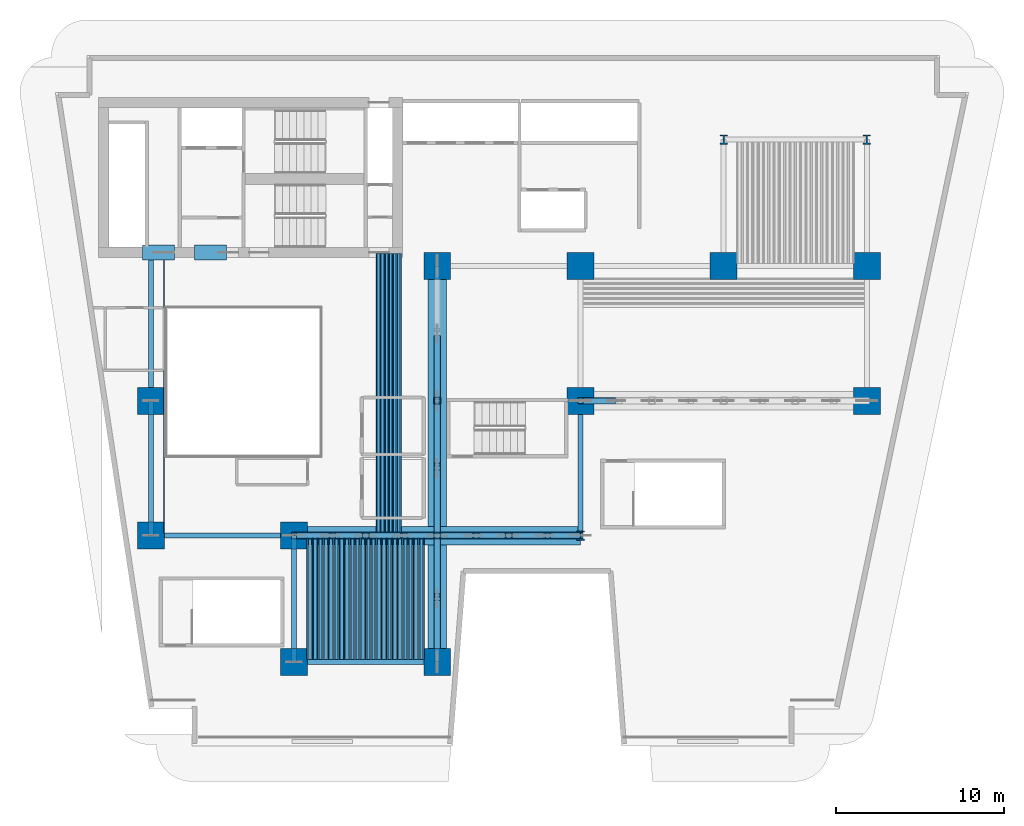
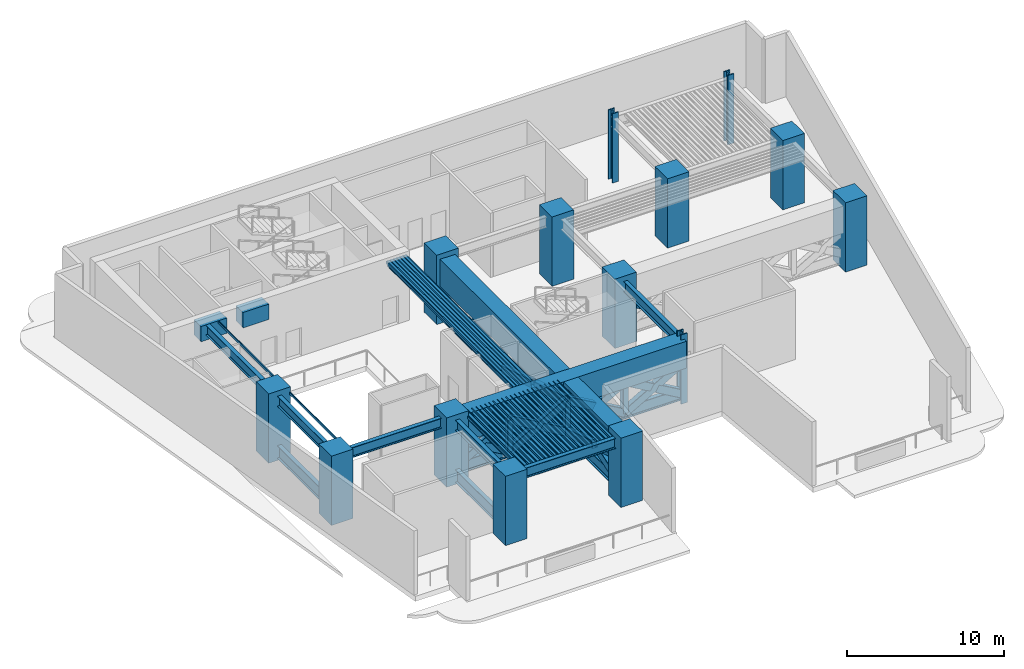
# One storey, part 1 of 9: 73 beams, 24 members, 14 columns.
"""IFC4 building model written with IfcOpenShell, lengths in metres."""

from ifc_helpers import new_model, si_unit, direction, frame, origin, origin_2d, place, context, subcontext, project, spatial, rectangle, hollow_rectangle, i_section, extrude, material, material_profile, profile_set, type_object, element, save


model = new_model("IFC4")

# Units and contexts
model_context = context("Model", 3, precision=1e-05, world=origin(), true_north=direction((0.0, 1.0)))
body_context = subcontext(model_context, "Body", "Model", "MODEL_VIEW")
ifc_project = project(units=[si_unit("LENGTHUNIT", "METRE"), si_unit("AREAUNIT", "SQUARE_METRE"), si_unit("VOLUMEUNIT", "CUBIC_METRE"), si_unit("PLANEANGLEUNIT", "RADIAN"), si_unit("MASSUNIT", "GRAM", prefix="KILO")], contexts=[model_context])

# Site, building, storey
site_placement = place(None, origin())
site = spatial("IfcSite", under=ifc_project, at=site_placement, CompositionType="ELEMENT")
building_placement = place(site_placement, origin())
building = spatial("IfcBuilding", under=site, at=building_placement, Name="Caeloran Harvest Quay", CompositionType="ELEMENT")
storey_placement = place(building_placement, frame((0.0, 0.0, 21.60009765625)))
storey = spatial("IfcBuildingStorey", under=building, at=storey_placement, Name="L05", CompositionType="ELEMENT", Elevation=21.60009765625)

# Columns
ifc_material_1 = material(Name="Concrete C80/95", Category="concrete")
ifc_material_profile_1 = material_profile(ifc_material_1, rectangle(XDim=1.60009765625, YDim=1.60009765625, at=origin_2d()), Name="RC 1600x1600")
ifc_profile_set_1 = profile_set([ifc_material_profile_1], Name="Concrete C80/95")
column_type_1 = type_object("IfcColumnType", Name="COL-MC-1-RC_1600x1600", PredefinedType="COLUMN", material=ifc_profile_set_1)
for number, where, z_axis, x_axis, name in (
    (1, (8.5, 15.0, 0.0), (0.0, 0.0, 1.0), (1.0, 0.0, 0.0), "L05 Structural Column (8.5, 15.0)"),
    (2, (8.5, 23.0, 0.0), (0.0, 0.0, 1.0), (1.0, 0.0, 0.0), "L05 Structural Column (8.5, 23.0)"),
    (3, (17.0, 7.5, 0.0), (0.0, 0.0, 1.0), (1.0, 0.0, 0.0), "L05 Structural Column (17.0, 7.5)"),
    (4, (17.0, 15.0, 0.0), (0.0, 0.0, 1.0), (1.0, 0.0, 0.0), "L05 Structural Column (17.0, 15.0)"),
    (5, (25.5, 7.5, 0.0), (0.0, 0.0, 1.0), (1.0, 0.0, 0.0), "L05 Structural Column (25.5, 7.5)"),
    (6, (25.5, 31.0, 0.0), (0.0, 0.0, 1.0), (1.0, 0.0, 0.0), "L05 Structural Column (25.5, 31.0)"),
    (7, (34.0, 23.0, 0.0), (0.0, 0.0, 1.0), (1.0, 0.0, 0.0), "L05 Structural Column (34.0, 23.0)"),
    (8, (34.0, 31.0, 0.0), (0.0, 0.0, 1.0), (1.0, 0.0, 0.0), "L05 Structural Column (34.0, 31.0)"),
    (9, (42.5, 31.0, 0.0), (0.0, 0.0, 1.0), (1.0, 0.0, 0.0), "L05 Structural Column (42.5, 31.0)"),
    (10, (51.0, 23.0, 0.0), (0.0, 0.0, 1.0), (1.0, 0.0, 0.0), "L05 Structural Column (51.0, 23.0)"),
    (11, (51.0, 31.0, 0.0), (0.0, 0.0, 1.0), (1.0, 0.0, 0.0), "L05 Structural Column (51.0, 31.0)"),
):
    element("IfcColumn", number, at=place(storey_placement, frame(where, z_axis=z_axis, x_axis=x_axis)), inside=storey, type_object=column_type_1, Name=name, PredefinedType="COLUMN", context=body_context, shape_type="SweptSolid", body=[
        extrude(rectangle(XDim=1.60009765625, YDim=1.60009765625, at=origin_2d()), origin(), (0.0, 0.0, 1.0), 5.39990234375),
    ])
ifc_material_2 = material(Name="Steel HISTAR 460", Category="steel")
ifc_material_profile_2 = material_profile(ifc_material_2, i_section(OverallWidth=0.4541015625, OverallDepth=0.569091796875, WebThickness=0.077880859375, FlangeThickness=0.080078125, FilletRadius=0.014892578125, at=origin_2d()), Name="HD 400x1086")
ifc_profile_set_2 = profile_set([ifc_material_profile_2], Name="Steel HISTAR 460")
column_type_2 = type_object("IfcColumnType", Name="COL-SC-1-HD_400x1086", PredefinedType="COLUMN", material=ifc_profile_set_2)
for number, where, z_axis, x_axis, name in (
    (12, (34.0, 15.0, 0.0), (0.0, 0.0, 1.0), (1.0, 0.0, 0.0), "L05 Structural Column (34.0, 15.0)"),
    (13, (42.5, 38.5, 0.0), (0.0, 0.0, 1.0), (1.0, 0.0, 0.0), "L05 Structural Column (42.5, 38.5)"),
    (14, (51.0, 38.5, 0.0), (0.0, 0.0, 1.0), (1.0, 0.0, 0.0), "L05 Structural Column (51.0, 38.5)"),
):
    element("IfcColumn", number, at=place(storey_placement, frame(where, z_axis=z_axis, x_axis=x_axis)), inside=storey, type_object=column_type_2, Name=name, PredefinedType="COLUMN", context=body_context, shape_type="SweptSolid", body=[
        extrude(i_section(OverallWidth=0.4541015625, OverallDepth=0.569091796875, WebThickness=0.077880859375, FlangeThickness=0.080078125, FilletRadius=0.014892578125, at=origin_2d()), origin(), (0.0, 0.0, 1.0), 5.39990234375),
    ])

# Beams
ifc_material_profile_3 = material_profile(ifc_material_1, rectangle(XDim=0.89990234375, YDim=1.199951171875, at=origin_2d()), Name="RC 900x1200")
ifc_profile_set_3 = profile_set([ifc_material_profile_3], Name="Concrete C80/95")
beam_type_1 = type_object("IfcBeamType", Name="BM-CB-1-RC_900x1200", PredefinedType="LINTEL", material=ifc_profile_set_3)
for number, where, z_axis, x_axis, name in (
    (15, (8.0, 31.800048828125, 4.39990234375), (1.0, 0.0, 0.0), (0.0, 1.0, 0.0), "L05 Core Coupling Beam 1"),
    (16, (11.10009765625, 31.800048828125, 4.39990234375), (1.0, 0.0, 0.0), (0.0, 1.0, 0.0), "L05 Core Coupling Beam 2"),
):
    element("IfcBeam", number, at=place(storey_placement, frame(where, z_axis=z_axis, x_axis=x_axis)), inside=storey, type_object=beam_type_1, Name=name, PredefinedType="LINTEL", context=body_context, shape_type="SweptSolid", body=[
        extrude(rectangle(XDim=0.89990234375, YDim=1.199951171875, at=origin_2d()), origin(), (0.0, 0.0, 1.0), 1.89990234375),
    ])
ifc_material_3 = material(Name="Steel S355J2", Category="steel")
ifc_material_profile_4 = material_profile(ifc_material_3, i_section(OverallWidth=0.300048828125, OverallDepth=0.800048828125, WebThickness=0.017578125, FlangeThickness=0.032958984375, FilletRadius=0.030029296875, at=origin_2d()), Name="HE 800 B")
ifc_profile_set_4 = profile_set([ifc_material_profile_4], Name="Steel S355J2")
beam_type_2 = type_object("IfcBeamType", Name="BM-PG-1-HE_800_B", PredefinedType="BEAM", material=ifc_profile_set_4)
for number, where, z_axis, x_axis, name in (
    (17, (17.0, 7.5, 4.599853515625), (1.0, 0.0, 0.0), (0.0, 1.0, 0.0), "L05 Primary East-West Girder Y=7.5"),
    (18, (8.5, 15.0, 4.599853515625), (1.0, 0.0, 0.0), (0.0, 1.0, 0.0), "L05 Primary East-West Girder Y=15.0"),
):
    element("IfcBeam", number, at=place(storey_placement, frame(where, z_axis=z_axis, x_axis=x_axis)), inside=storey, type_object=beam_type_2, Name=name, PredefinedType="BEAM", context=body_context, shape_type="SweptSolid", body=[
        extrude(i_section(OverallWidth=0.300048828125, OverallDepth=0.800048828125, WebThickness=0.017578125, FlangeThickness=0.032958984375, FilletRadius=0.030029296875, at=origin_2d()), origin(), (0.0, 0.0, 1.0), 8.5),
    ])
beam_1_placement = place(storey_placement, frame((8.5, 15.0, 4.599853515625), z_axis=(0.0, 1.0, 0.0), x_axis=(-1.0, 0.0, 0.0)))
element("IfcBeam", 19, at=beam_1_placement, inside=storey, type_object=beam_type_2, Name="L05 Primary North-South Girder X=8.5", PredefinedType="BEAM", context=body_context, shape_type="SweptSolid", body=[
    extrude(i_section(OverallWidth=0.300048828125, OverallDepth=0.800048828125, WebThickness=0.017578125, FlangeThickness=0.032958984375, FilletRadius=0.030029296875, at=origin_2d()), origin(), (0.0, 0.0, 1.0), 8.0),
])
beam_2_placement = place(storey_placement, frame((8.5, 23.0, 4.599853515625), z_axis=(0.0, 1.0, 0.0), x_axis=(-1.0, 0.0, 0.0)))
element("IfcBeam", 20, at=beam_2_placement, inside=storey, type_object=beam_type_2, Name="L05 Core South Tie Girder X=8.5", PredefinedType="BEAM", context=body_context, shape_type="SweptSolid", body=[
    extrude(i_section(OverallWidth=0.300048828125, OverallDepth=0.800048828125, WebThickness=0.017578125, FlangeThickness=0.032958984375, FilletRadius=0.030029296875, at=origin_2d()), origin(), (0.0, 0.0, 1.0), 8.75),
])
beam_3_placement = place(storey_placement, frame((17.0, 7.5, 4.599853515625), z_axis=(0.0, 1.0, 0.0), x_axis=(-1.0, 0.0, 0.0)))
element("IfcBeam", 21, at=beam_3_placement, inside=storey, type_object=beam_type_2, Name="L05 Primary North-South Girder X=17.0", PredefinedType="BEAM", context=body_context, shape_type="SweptSolid", body=[
    extrude(i_section(OverallWidth=0.300048828125, OverallDepth=0.800048828125, WebThickness=0.017578125, FlangeThickness=0.032958984375, FilletRadius=0.030029296875, at=origin_2d()), origin(), (0.0, 0.0, 1.0), 7.5),
])
beam_4_placement = place(storey_placement, frame((34.0, 15.0, 4.599853515625), z_axis=(0.0, 1.0, 0.0), x_axis=(-1.0, 0.0, 0.0)))
element("IfcBeam", 22, at=beam_4_placement, inside=storey, type_object=beam_type_2, Name="L05 Primary North-South Girder X=34.0", PredefinedType="BEAM", context=body_context, shape_type="SweptSolid", body=[
    extrude(i_section(OverallWidth=0.300048828125, OverallDepth=0.800048828125, WebThickness=0.017578125, FlangeThickness=0.032958984375, FilletRadius=0.030029296875, at=origin_2d()), origin(), (0.0, 0.0, 1.0), 8.0),
])
ifc_material_profile_5 = material_profile(ifc_material_3, i_section(OverallWidth=0.179931640625, OverallDepth=0.39990234375, WebThickness=0.008544921875, FlangeThickness=0.013427734375, FilletRadius=0.02099609375, at=origin_2d()), Name="IPE 400")
ifc_profile_set_5 = profile_set([ifc_material_profile_5], Name="Steel S355J2")
beam_type_3 = type_object("IfcBeamType", Name="BM-SB-4-IPE_400", PredefinedType="JOIST", material=ifc_profile_set_5)
for number, where, z_axis, x_axis, name in (
    (23, (17.9443359375, 7.64501953125, 4.7998046875), (0.0, 1.0, 0.0), (-1.0, 0.0, 0.0), "L05 Secondary Composite Joist"),
    (24, (18.25927734375, 7.64501953125, 4.7998046875), (0.0, 1.0, 0.0), (-1.0, 0.0, 0.0), "L05 Secondary Composite Joist"),
    (25, (18.57421875, 7.64501953125, 4.7998046875), (0.0, 1.0, 0.0), (-1.0, 0.0, 0.0), "L05 Secondary Composite Joist"),
    (26, (18.888916015625, 7.64501953125, 4.7998046875), (0.0, 1.0, 0.0), (-1.0, 0.0, 0.0), "L05 Secondary Composite Joist"),
    (27, (19.20361328125, 7.64501953125, 4.7998046875), (0.0, 1.0, 0.0), (-1.0, 0.0, 0.0), "L05 Secondary Composite Joist"),
    (28, (19.5185546875, 7.64501953125, 4.7998046875), (0.0, 1.0, 0.0), (-1.0, 0.0, 0.0), "L05 Secondary Composite Joist"),
    (29, (19.833251953125, 7.64501953125, 4.7998046875), (0.0, 1.0, 0.0), (-1.0, 0.0, 0.0), "L05 Secondary Composite Joist"),
    (30, (20.148193359375, 7.64501953125, 4.7998046875), (0.0, 1.0, 0.0), (-1.0, 0.0, 0.0), "L05 Secondary Composite Joist"),
    (31, (20.462890625, 7.64501953125, 4.7998046875), (0.0, 1.0, 0.0), (-1.0, 0.0, 0.0), "L05 Secondary Composite Joist"),
    (32, (20.77783203125, 7.64501953125, 4.7998046875), (0.0, 1.0, 0.0), (-1.0, 0.0, 0.0), "L05 Secondary Composite Joist"),
    (33, (21.092529296875, 7.64501953125, 4.7998046875), (0.0, 1.0, 0.0), (-1.0, 0.0, 0.0), "L05 Secondary Composite Joist"),
    (34, (21.407470703125, 7.64501953125, 4.7998046875), (0.0, 1.0, 0.0), (-1.0, 0.0, 0.0), "L05 Secondary Composite Joist"),
    (35, (21.72216796875, 7.64501953125, 4.7998046875), (0.0, 1.0, 0.0), (-1.0, 0.0, 0.0), "L05 Secondary Composite Joist"),
    (36, (22.037109375, 7.64501953125, 4.7998046875), (0.0, 1.0, 0.0), (-1.0, 0.0, 0.0), "L05 Secondary Composite Joist"),
    (37, (22.351806640625, 7.64501953125, 4.7998046875), (0.0, 1.0, 0.0), (-1.0, 0.0, 0.0), "L05 Secondary Composite Joist"),
    (38, (22.666748046875, 7.64501953125, 4.7998046875), (0.0, 1.0, 0.0), (-1.0, 0.0, 0.0), "L05 Secondary Composite Joist"),
    (39, (22.9814453125, 7.64501953125, 4.7998046875), (0.0, 1.0, 0.0), (-1.0, 0.0, 0.0), "L05 Secondary Composite Joist"),
    (40, (23.29638671875, 7.64501953125, 4.7998046875), (0.0, 1.0, 0.0), (-1.0, 0.0, 0.0), "L05 Secondary Composite Joist"),
    (41, (23.611083984375, 7.64501953125, 4.7998046875), (0.0, 1.0, 0.0), (-1.0, 0.0, 0.0), "L05 Secondary Composite Joist"),
    (42, (23.92578125, 7.64501953125, 4.7998046875), (0.0, 1.0, 0.0), (-1.0, 0.0, 0.0), "L05 Secondary Composite Joist"),
    (43, (24.24072265625, 7.64501953125, 4.7998046875), (0.0, 1.0, 0.0), (-1.0, 0.0, 0.0), "L05 Secondary Composite Joist"),
    (44, (24.5556640625, 7.64501953125, 4.7998046875), (0.0, 1.0, 0.0), (-1.0, 0.0, 0.0), "L05 Secondary Composite Joist"),
):
    element("IfcBeam", number, at=place(storey_placement, frame(where, z_axis=z_axis, x_axis=x_axis)), inside=storey, type_object=beam_type_3, Name=name, PredefinedType="JOIST", context=body_context, shape_type="SweptSolid", body=[
        extrude(i_section(OverallWidth=0.179931640625, OverallDepth=0.39990234375, WebThickness=0.008544921875, FlangeThickness=0.013427734375, FilletRadius=0.02099609375, at=origin_2d()), origin(), (0.0, 0.0, 1.0), 7.2099609375),
    ])
for number, where, z_axis, x_axis, name in (
    (45, (22.0166015625, 15.14501953125, 4.7998046875), (0.0, 1.0, 0.0), (-1.0, 0.0, 0.0), "L05 Secondary Composite Joist"),
    (46, (22.255615234375, 15.14501953125, 4.7998046875), (0.0, 1.0, 0.0), (-1.0, 0.0, 0.0), "L05 Secondary Composite Joist"),
    (47, (22.494384765625, 15.14501953125, 4.7998046875), (0.0, 1.0, 0.0), (-1.0, 0.0, 0.0), "L05 Secondary Composite Joist"),
    (48, (22.7333984375, 15.14501953125, 4.7998046875), (0.0, 1.0, 0.0), (-1.0, 0.0, 0.0), "L05 Secondary Composite Joist"),
    (49, (22.97216796875, 15.14501953125, 4.7998046875), (0.0, 1.0, 0.0), (-1.0, 0.0, 0.0), "L05 Secondary Composite Joist"),
    (50, (23.211181640625, 15.14501953125, 4.7998046875), (0.0, 1.0, 0.0), (-1.0, 0.0, 0.0), "L05 Secondary Composite Joist"),
):
    element("IfcBeam", number, at=place(storey_placement, frame(where, z_axis=z_axis, x_axis=x_axis)), inside=storey, type_object=beam_type_3, Name=name, PredefinedType="JOIST", context=body_context, shape_type="SweptSolid", body=[
        extrude(i_section(OverallWidth=0.179931640625, OverallDepth=0.39990234375, WebThickness=0.008544921875, FlangeThickness=0.013427734375, FilletRadius=0.02099609375, at=origin_2d()), origin(), (0.0, 0.0, 1.0), 16.60498046875),
    ])
ifc_material_profile_6 = material_profile(ifc_material_3, hollow_rectangle(XDim=0.080078125, YDim=0.199951171875, WallThickness=0.006103515625, InnerFilletRadius=0.006103515625, OuterFilletRadius=0.009033203125, at=origin_2d()), Name="RHS 200x80x6")
ifc_profile_set_6 = profile_set([ifc_material_profile_6], Name="Steel S355J2")
beam_type_4 = type_object("IfcBeamType", Name="BM-SB-7-RHS_200x80x6", PredefinedType="JOIST", material=ifc_profile_set_6)
for number, where, z_axis, x_axis, name in (
    (51, (17.787109375, 7.64501953125, 4.89990234375), (0.0, 1.0, 0.0), (-1.0, 0.0, 0.0), "L05 Secondary Composite Joist"),
    (52, (18.101806640625, 7.64501953125, 4.89990234375), (0.0, 1.0, 0.0), (-1.0, 0.0, 0.0), "L05 Secondary Composite Joist"),
    (53, (18.416748046875, 7.64501953125, 4.89990234375), (0.0, 1.0, 0.0), (-1.0, 0.0, 0.0), "L05 Secondary Composite Joist"),
    (54, (18.7314453125, 7.64501953125, 4.89990234375), (0.0, 1.0, 0.0), (-1.0, 0.0, 0.0), "L05 Secondary Composite Joist"),
    (55, (19.04638671875, 7.64501953125, 4.89990234375), (0.0, 1.0, 0.0), (-1.0, 0.0, 0.0), "L05 Secondary Composite Joist"),
    (56, (19.361083984375, 7.64501953125, 4.89990234375), (0.0, 1.0, 0.0), (-1.0, 0.0, 0.0), "L05 Secondary Composite Joist"),
    (57, (19.67578125, 7.64501953125, 4.89990234375), (0.0, 1.0, 0.0), (-1.0, 0.0, 0.0), "L05 Secondary Composite Joist"),
    (58, (19.99072265625, 7.64501953125, 4.89990234375), (0.0, 1.0, 0.0), (-1.0, 0.0, 0.0), "L05 Secondary Composite Joist"),
    (59, (20.3056640625, 7.64501953125, 4.89990234375), (0.0, 1.0, 0.0), (-1.0, 0.0, 0.0), "L05 Secondary Composite Joist"),
    (60, (20.620361328125, 7.64501953125, 4.89990234375), (0.0, 1.0, 0.0), (-1.0, 0.0, 0.0), "L05 Secondary Composite Joist"),
    (61, (20.935302734375, 7.64501953125, 4.89990234375), (0.0, 1.0, 0.0), (-1.0, 0.0, 0.0), "L05 Secondary Composite Joist"),
    (62, (21.25, 7.64501953125, 4.89990234375), (0.0, 1.0, 0.0), (-1.0, 0.0, 0.0), "L05 Secondary Composite Joist"),
    (63, (21.564697265625, 7.64501953125, 4.89990234375), (0.0, 1.0, 0.0), (-1.0, 0.0, 0.0), "L05 Secondary Composite Joist"),
    (64, (21.879638671875, 7.64501953125, 4.89990234375), (0.0, 1.0, 0.0), (-1.0, 0.0, 0.0), "L05 Secondary Composite Joist"),
    (65, (22.1943359375, 7.64501953125, 4.89990234375), (0.0, 1.0, 0.0), (-1.0, 0.0, 0.0), "L05 Secondary Composite Joist"),
    (66, (22.50927734375, 7.64501953125, 4.89990234375), (0.0, 1.0, 0.0), (-1.0, 0.0, 0.0), "L05 Secondary Composite Joist"),
    (67, (22.82421875, 7.64501953125, 4.89990234375), (0.0, 1.0, 0.0), (-1.0, 0.0, 0.0), "L05 Secondary Composite Joist"),
    (68, (23.138916015625, 7.64501953125, 4.89990234375), (0.0, 1.0, 0.0), (-1.0, 0.0, 0.0), "L05 Secondary Composite Joist"),
    (69, (23.45361328125, 7.64501953125, 4.89990234375), (0.0, 1.0, 0.0), (-1.0, 0.0, 0.0), "L05 Secondary Composite Joist"),
    (70, (23.7685546875, 7.64501953125, 4.89990234375), (0.0, 1.0, 0.0), (-1.0, 0.0, 0.0), "L05 Secondary Composite Joist"),
    (71, (24.083251953125, 7.64501953125, 4.89990234375), (0.0, 1.0, 0.0), (-1.0, 0.0, 0.0), "L05 Secondary Composite Joist"),
    (72, (24.398193359375, 7.64501953125, 4.89990234375), (0.0, 1.0, 0.0), (-1.0, 0.0, 0.0), "L05 Secondary Composite Joist"),
    (73, (24.712890625, 7.64501953125, 4.89990234375), (0.0, 1.0, 0.0), (-1.0, 0.0, 0.0), "L05 Secondary Composite Joist"),
):
    element("IfcBeam", number, at=place(storey_placement, frame(where, z_axis=z_axis, x_axis=x_axis)), inside=storey, type_object=beam_type_4, Name=name, PredefinedType="JOIST", context=body_context, shape_type="SweptSolid", body=[
        extrude(hollow_rectangle(XDim=0.080078125, YDim=0.199951171875, WallThickness=0.006103515625, InnerFilletRadius=0.006103515625, OuterFilletRadius=0.009033203125, at=origin_2d()), origin(), (0.0, 0.0, 1.0), 7.2099609375),
    ])
for number, where, z_axis, x_axis, name in (
    (74, (9.287109375, 15.14501953125, 4.89990234375), (0.0, 1.0, 0.0), (-1.0, 0.0, 0.0), "L05 Secondary Composite Joist"),
    (75, (21.897216796875, 15.14501953125, 4.89990234375), (0.0, 1.0, 0.0), (-1.0, 0.0, 0.0), "L05 Secondary Composite Joist"),
    (76, (22.135986328125, 15.14501953125, 4.89990234375), (0.0, 1.0, 0.0), (-1.0, 0.0, 0.0), "L05 Secondary Composite Joist"),
    (77, (22.375, 15.14501953125, 4.89990234375), (0.0, 1.0, 0.0), (-1.0, 0.0, 0.0), "L05 Secondary Composite Joist"),
    (78, (22.614013671875, 15.14501953125, 4.89990234375), (0.0, 1.0, 0.0), (-1.0, 0.0, 0.0), "L05 Secondary Composite Joist"),
    (79, (22.852783203125, 15.14501953125, 4.89990234375), (0.0, 1.0, 0.0), (-1.0, 0.0, 0.0), "L05 Secondary Composite Joist"),
    (80, (23.091796875, 15.14501953125, 4.89990234375), (0.0, 1.0, 0.0), (-1.0, 0.0, 0.0), "L05 Secondary Composite Joist"),
    (81, (23.33056640625, 15.14501953125, 4.89990234375), (0.0, 1.0, 0.0), (-1.0, 0.0, 0.0), "L05 Secondary Composite Joist"),
):
    element("IfcBeam", number, at=place(storey_placement, frame(where, z_axis=z_axis, x_axis=x_axis)), inside=storey, type_object=beam_type_4, Name=name, PredefinedType="JOIST", context=body_context, shape_type="SweptSolid", body=[
        extrude(hollow_rectangle(XDim=0.080078125, YDim=0.199951171875, WallThickness=0.006103515625, InnerFilletRadius=0.006103515625, OuterFilletRadius=0.009033203125, at=origin_2d()), origin(), (0.0, 0.0, 1.0), 16.60498046875),
    ])
ifc_material_profile_7 = material_profile(ifc_material_2, i_section(OverallWidth=0.302001953125, OverallDepth=1.008056640625, WebThickness=0.02099609375, FlangeThickness=0.0400390625, FilletRadius=0.030029296875, at=origin_2d()), Name="HE 1000 M")
ifc_profile_set_7 = profile_set([ifc_material_profile_7], Name="Steel HISTAR 460")
beam_type_5 = type_object("IfcBeamType", Name="BM-TC-1-HE_1000_M", PredefinedType="BEAM", material=ifc_profile_set_7)
beam_5_placement = place(storey_placement, frame((8.5, 15.0, 0.64990234375), z_axis=(0.0, 1.0, 0.0), x_axis=(-1.0, 0.0, 0.0)))
element("IfcBeam", 82, at=beam_5_placement, inside=storey, type_object=beam_type_5, Name="L05 HISTAR 460 Transfer Perimeter Tie Chord 1", PredefinedType="BEAM", context=body_context, shape_type="SweptSolid", body=[
    extrude(i_section(OverallWidth=0.302001953125, OverallDepth=1.008056640625, WebThickness=0.02099609375, FlangeThickness=0.0400390625, FilletRadius=0.030029296875, at=origin_2d()), origin(), (0.0, 0.0, 1.0), 8.0),
])
beam_6_placement = place(storey_placement, frame((17.0, 7.5, 0.64990234375), z_axis=(0.0, 1.0, 0.0), x_axis=(-1.0, 0.0, 0.0)))
element("IfcBeam", 83, at=beam_6_placement, inside=storey, type_object=beam_type_5, Name="L05 HISTAR 460 Transfer Perimeter Tie Chord 2", PredefinedType="BEAM", context=body_context, shape_type="SweptSolid", body=[
    extrude(i_section(OverallWidth=0.302001953125, OverallDepth=1.008056640625, WebThickness=0.02099609375, FlangeThickness=0.0400390625, FilletRadius=0.030029296875, at=origin_2d()), origin(), (0.0, 0.0, 1.0), 7.5),
])
ifc_material_profile_8 = material_profile(ifc_material_2, i_section(OverallWidth=0.300048828125, OverallDepth=0.89990234375, WebThickness=0.0185546875, FlangeThickness=0.034912109375, FilletRadius=0.030029296875, at=origin_2d()), Name="HE 900 B")
ifc_profile_set_8 = profile_set([ifc_material_profile_8], Name="Steel HISTAR 460")
beam_type_6 = type_object("IfcBeamType", Name="BM-TC-2-HE_900_B", PredefinedType="BEAM", material=ifc_profile_set_8)
beam_7_placement = place(storey_placement, frame((17.0, 15.0, 0.64990234375), z_axis=(1.0, 0.0, 0.0), x_axis=(0.0, 1.0, 0.0)))
element("IfcBeam", 84, at=beam_7_placement, inside=storey, type_object=beam_type_6, Name="L05 HISTAR 460 Transfer Truss TT1-Y15-W Continuous Bottom Chord", PredefinedType="BEAM", context=body_context, shape_type="SweptSolid", body=[
    extrude(i_section(OverallWidth=0.300048828125, OverallDepth=0.89990234375, WebThickness=0.0185546875, FlangeThickness=0.034912109375, FilletRadius=0.030029296875, at=origin_2d()), origin(), (0.0, 0.0, 1.0), 17.0),
])
beam_8_placement = place(storey_placement, frame((25.5, 7.5, 0.64990234375), z_axis=(0.0, 1.0, 0.0), x_axis=(-1.0, 0.0, 0.0)))
element("IfcBeam", 85, at=beam_8_placement, inside=storey, type_object=beam_type_6, Name="L05 HISTAR 460 Transfer Truss TT2-X255 Continuous Bottom Chord", PredefinedType="BEAM", context=body_context, shape_type="SweptSolid", body=[
    extrude(i_section(OverallWidth=0.300048828125, OverallDepth=0.89990234375, WebThickness=0.0185546875, FlangeThickness=0.034912109375, FilletRadius=0.030029296875, at=origin_2d()), origin(), (0.0, 0.0, 1.0), 23.5),
])
ifc_material_profile_9 = material_profile(ifc_material_1, rectangle(XDim=1.10009765625, YDim=2.10009765625, at=origin_2d()), Name="BM-TG-1-RC_1100x2100")
ifc_profile_set_9 = profile_set([ifc_material_profile_9], Name="Concrete C80/95")
beam_type_7 = type_object("IfcBeamType", Name="BM-TG-1-RC_1100x2100", PredefinedType="BEAM", material=ifc_profile_set_9)
beam_9_placement = place(storey_placement, frame((17.0, 15.0, 3.949951171875), z_axis=(1.0, 0.0, 0.0), x_axis=(0.0, 1.0, 0.0)))
element("IfcBeam", 86, at=beam_9_placement, inside=storey, type_object=beam_type_7, Name="L05 Post-Tensioned Concrete Transfer Girder TT1-Y15-W", PredefinedType="BEAM", context=body_context, shape_type="SweptSolid", body=[
    extrude(rectangle(XDim=1.10009765625, YDim=2.10009765625, at=origin_2d()), origin(), (0.0, 0.0, 1.0), 17.0),
])
beam_10_placement = place(storey_placement, frame((25.5, 7.5, 3.949951171875), z_axis=(0.0, 1.0, 0.0), x_axis=(-1.0, 0.0, 0.0)))
element("IfcBeam", 87, at=beam_10_placement, inside=storey, type_object=beam_type_7, Name="L05 Post-Tensioned Concrete Transfer Girder TT2-X255", PredefinedType="BEAM", context=body_context, shape_type="SweptSolid", body=[
    extrude(rectangle(XDim=1.10009765625, YDim=2.10009765625, at=origin_2d()), origin(), (0.0, 0.0, 1.0), 23.5),
])

# Members
ifc_material_profile_10 = material_profile(ifc_material_2, hollow_rectangle(XDim=0.39990234375, YDim=0.60009765625, WallThickness=0.02490234375, InnerFilletRadius=0.02490234375, OuterFilletRadius=0.03759765625, at=origin_2d()), Name="RHS 600x400x25")
ifc_profile_set_10 = profile_set([ifc_material_profile_10], Name="Steel HISTAR 460")
member_type_1 = type_object("IfcMemberType", Name="MEM-TD-1-RHS_600x400x25", PredefinedType="BRACE", material=ifc_profile_set_10)
member_1_placement = place(storey_placement, frame((17.0, 15.0, 0.64990234375), z_axis=(0.866359527852, 0.0, 0.499420833065), x_axis=(0.0, 1.0, 0.0)))
element("IfcMember", 88, at=member_1_placement, inside=storey, type_object=member_type_1, Name="L05 Transfer Truss TT1-Y15-W Continuous Diagonal 1A", PredefinedType="BRACE", context=body_context, shape_type="SweptSolid", body=[
    extrude(hollow_rectangle(XDim=0.39990234375, YDim=0.60009765625, WallThickness=0.02490234375, InnerFilletRadius=0.02490234375, OuterFilletRadius=0.03759765625, at=origin_2d()), origin(), (0.0, 0.0, 1.0), 4.905517578125),
])
for number, where, z_axis, x_axis, name in (
    (89, (17.0, 15.0, 3.099853515625), (0.86637303271, 0.0, -0.499397405072), (0.0, 1.0, 0.0), "L05 Transfer Truss TT1-Y15-W Split Diagonal 1B1"),
    (90, (19.315673828125, 15.0, 1.764892578125), (0.86637303271, 0.0, -0.499397405072), (0.0, 1.0, 0.0), "L05 Transfer Truss TT1-Y15-W Split Diagonal 1B2"),
):
    element("IfcMember", number, at=place(storey_placement, frame(where, z_axis=z_axis, x_axis=x_axis)), inside=storey, type_object=member_type_1, Name=name, PredefinedType="BRACE", context=body_context, shape_type="SweptSolid", body=[
        extrude(hollow_rectangle(XDim=0.39990234375, YDim=0.60009765625, WallThickness=0.02490234375, InnerFilletRadius=0.02490234375, OuterFilletRadius=0.03759765625, at=origin_2d()), origin(), (0.0, 0.0, 1.0), 2.232666015625),
    ])
member_2_placement = place(storey_placement, frame((21.25, 15.0, 0.64990234375), z_axis=(0.866359527852, 0.0, 0.499420833065), x_axis=(0.0, 1.0, 0.0)))
element("IfcMember", 91, at=member_2_placement, inside=storey, type_object=member_type_1, Name="L05 Transfer Truss TT1-Y15-W Continuous Diagonal 2A", PredefinedType="BRACE", context=body_context, shape_type="SweptSolid", body=[
    extrude(hollow_rectangle(XDim=0.39990234375, YDim=0.60009765625, WallThickness=0.02490234375, InnerFilletRadius=0.02490234375, OuterFilletRadius=0.03759765625, at=origin_2d()), origin(), (0.0, 0.0, 1.0), 4.905517578125),
])
for number, where, z_axis, x_axis, name in (
    (92, (21.25, 15.0, 3.099853515625), (0.86637303271, 0.0, -0.499397405072), (0.0, 1.0, 0.0), "L05 Transfer Truss TT1-Y15-W Split Diagonal 2B1"),
    (93, (23.565673828125, 15.0, 1.764892578125), (0.86637303271, 0.0, -0.499397405072), (0.0, 1.0, 0.0), "L05 Transfer Truss TT1-Y15-W Split Diagonal 2B2"),
):
    element("IfcMember", number, at=place(storey_placement, frame(where, z_axis=z_axis, x_axis=x_axis)), inside=storey, type_object=member_type_1, Name=name, PredefinedType="BRACE", context=body_context, shape_type="SweptSolid", body=[
        extrude(hollow_rectangle(XDim=0.39990234375, YDim=0.60009765625, WallThickness=0.02490234375, InnerFilletRadius=0.02490234375, OuterFilletRadius=0.03759765625, at=origin_2d()), origin(), (0.0, 0.0, 1.0), 2.232666015625),
    ])
member_3_placement = place(storey_placement, frame((25.5, 15.0, 0.64990234375), z_axis=(0.866359527852, 0.0, 0.499420833065), x_axis=(0.0, 1.0, 0.0)))
element("IfcMember", 94, at=member_3_placement, inside=storey, type_object=member_type_1, Name="L05 Transfer Truss TT1-Y15-W Continuous Diagonal 3A", PredefinedType="BRACE", context=body_context, shape_type="SweptSolid", body=[
    extrude(hollow_rectangle(XDim=0.39990234375, YDim=0.60009765625, WallThickness=0.02490234375, InnerFilletRadius=0.02490234375, OuterFilletRadius=0.03759765625, at=origin_2d()), origin(), (0.0, 0.0, 1.0), 4.905517578125),
])
for number, where, z_axis, x_axis, name in (
    (95, (25.5, 15.0, 3.099853515625), (0.86637303271, 0.0, -0.499397405072), (0.0, 1.0, 0.0), "L05 Transfer Truss TT1-Y15-W Split Diagonal 3B1"),
    (96, (27.815673828125, 15.0, 1.764892578125), (0.86637303271, 0.0, -0.499397405072), (0.0, 1.0, 0.0), "L05 Transfer Truss TT1-Y15-W Split Diagonal 3B2"),
):
    element("IfcMember", number, at=place(storey_placement, frame(where, z_axis=z_axis, x_axis=x_axis)), inside=storey, type_object=member_type_1, Name=name, PredefinedType="BRACE", context=body_context, shape_type="SweptSolid", body=[
        extrude(hollow_rectangle(XDim=0.39990234375, YDim=0.60009765625, WallThickness=0.02490234375, InnerFilletRadius=0.02490234375, OuterFilletRadius=0.03759765625, at=origin_2d()), origin(), (0.0, 0.0, 1.0), 2.232666015625),
    ])
member_4_placement = place(storey_placement, frame((29.75, 15.0, 0.64990234375), z_axis=(0.866359527852, 0.0, 0.499420833065), x_axis=(0.0, 1.0, 0.0)))
element("IfcMember", 97, at=member_4_placement, inside=storey, type_object=member_type_1, Name="L05 Transfer Truss TT1-Y15-W Continuous Diagonal 4A", PredefinedType="BRACE", context=body_context, shape_type="SweptSolid", body=[
    extrude(hollow_rectangle(XDim=0.39990234375, YDim=0.60009765625, WallThickness=0.02490234375, InnerFilletRadius=0.02490234375, OuterFilletRadius=0.03759765625, at=origin_2d()), origin(), (0.0, 0.0, 1.0), 4.905517578125),
])
for number, where, z_axis, x_axis, name in (
    (98, (29.75, 15.0, 3.099853515625), (0.86637303271, 0.0, -0.499397405072), (0.0, 1.0, 0.0), "L05 Transfer Truss TT1-Y15-W Split Diagonal 4B1"),
    (99, (32.065673828125, 15.0, 1.764892578125), (0.86637303271, 0.0, -0.499397405072), (0.0, 1.0, 0.0), "L05 Transfer Truss TT1-Y15-W Split Diagonal 4B2"),
):
    element("IfcMember", number, at=place(storey_placement, frame(where, z_axis=z_axis, x_axis=x_axis)), inside=storey, type_object=member_type_1, Name=name, PredefinedType="BRACE", context=body_context, shape_type="SweptSolid", body=[
        extrude(hollow_rectangle(XDim=0.39990234375, YDim=0.60009765625, WallThickness=0.02490234375, InnerFilletRadius=0.02490234375, OuterFilletRadius=0.03759765625, at=origin_2d()), origin(), (0.0, 0.0, 1.0), 2.232666015625),
    ])
member_5_placement = place(storey_placement, frame((25.5, 7.5, 0.64990234375), z_axis=(0.0, 0.950569114948, 0.310513055615), x_axis=(-1.0, 0.0, 0.0)))
element("IfcMember", 100, at=member_5_placement, inside=storey, type_object=member_type_1, Name="L05 Transfer Truss TT2-X255 Continuous Diagonal 1A", PredefinedType="BRACE", context=body_context, shape_type="SweptSolid", body=[
    extrude(hollow_rectangle(XDim=0.39990234375, YDim=0.60009765625, WallThickness=0.02490234375, InnerFilletRadius=0.02490234375, OuterFilletRadius=0.03759765625, at=origin_2d()), origin(), (0.0, 0.0, 1.0), 7.889892578125),
])
for number, where, z_axis, x_axis, name in (
    (101, (25.5, 7.5, 3.099853515625), (0.0, 0.950566772418, -0.310520226676), (-1.0, 0.0, 0.0), "L05 Transfer Truss TT2-X255 Split Diagonal 1B1"),
    (102, (25.5, 11.458984375, 1.806640625), (0.0, 0.950566772418, -0.310520226676), (-1.0, 0.0, 0.0), "L05 Transfer Truss TT2-X255 Split Diagonal 1B2"),
):
    element("IfcMember", number, at=place(storey_placement, frame(where, z_axis=z_axis, x_axis=x_axis)), inside=storey, type_object=member_type_1, Name=name, PredefinedType="BRACE", context=body_context, shape_type="SweptSolid", body=[
        extrude(hollow_rectangle(XDim=0.39990234375, YDim=0.60009765625, WallThickness=0.02490234375, InnerFilletRadius=0.02490234375, OuterFilletRadius=0.03759765625, at=origin_2d()), origin(), (0.0, 0.0, 1.0), 3.72509765625),
    ])
member_6_placement = place(storey_placement, frame((25.5, 15.0, 0.64990234375), z_axis=(0.0, 0.956167447232, 0.292820444732), x_axis=(-1.0, 0.0, 0.0)))
element("IfcMember", 103, at=member_6_placement, inside=storey, type_object=member_type_1, Name="L05 Transfer Truss TT2-X255 Continuous Diagonal 2A", PredefinedType="BRACE", context=body_context, shape_type="SweptSolid", body=[
    extrude(hollow_rectangle(XDim=0.39990234375, YDim=0.60009765625, WallThickness=0.02490234375, InnerFilletRadius=0.02490234375, OuterFilletRadius=0.03759765625, at=origin_2d()), origin(), (0.0, 0.0, 1.0), 8.36669921875),
])
for number, where, z_axis, x_axis, name in (
    (104, (25.5, 15.0, 3.099853515625), (0.0, 0.956159129593, -0.292847603536), (-1.0, 0.0, 0.0), "L05 Transfer Truss TT2-X255 Split Diagonal 2B1"),
    (105, (25.5, 19.21044921875, 1.810546875), (0.0, 0.956159129593, -0.292847603536), (-1.0, 0.0, 0.0), "L05 Transfer Truss TT2-X255 Split Diagonal 2B2"),
    (106, (25.5, 23.0, 3.099853515625), (0.0, 0.956159129593, -0.292847603536), (-1.0, 0.0, 0.0), "L05 Transfer Truss TT2-X255 Split Diagonal 3B1"),
):
    element("IfcMember", number, at=place(storey_placement, frame(where, z_axis=z_axis, x_axis=x_axis)), inside=storey, type_object=member_type_1, Name=name, PredefinedType="BRACE", context=body_context, shape_type="SweptSolid", body=[
        extrude(hollow_rectangle(XDim=0.39990234375, YDim=0.60009765625, WallThickness=0.02490234375, InnerFilletRadius=0.02490234375, OuterFilletRadius=0.03759765625, at=origin_2d()), origin(), (0.0, 0.0, 1.0), 3.96337890625),
    ])
member_7_placement = place(storey_placement, frame((34.0, 23.0, 3.099853515625), z_axis=(0.86637303271, 0.0, -0.499397405072), x_axis=(0.0, 1.0, 0.0)))
element("IfcMember", 107, at=member_7_placement, inside=storey, type_object=member_type_1, Name="L05 Transfer Truss TT3-Y23-E Split Diagonal 1B1", PredefinedType="BRACE", context=body_context, shape_type="SweptSolid", body=[
    extrude(hollow_rectangle(XDim=0.39990234375, YDim=0.60009765625, WallThickness=0.02490234375, InnerFilletRadius=0.02490234375, OuterFilletRadius=0.03759765625, at=origin_2d()), origin(), (0.0, 0.0, 1.0), 2.232666015625),
])
ifc_material_profile_11 = material_profile(ifc_material_2, hollow_rectangle(XDim=0.39990234375, YDim=0.39990234375, WallThickness=0.02001953125, InnerFilletRadius=0.02001953125, OuterFilletRadius=0.030029296875, at=origin_2d()), Name="SHS 400x400x20")
ifc_profile_set_11 = profile_set([ifc_material_profile_11], Name="Steel HISTAR 460")
member_type_2 = type_object("IfcMemberType", Name="MEM-TP-1-SHS_400x400x20", PredefinedType="POST", material=ifc_profile_set_11)
for number, where, z_axis, x_axis, name in (
    (108, (21.25, 15.0, 0.64990234375), (0.0, 0.0, 1.0), (1.0, 0.0, 0.0), "L05 Transfer Truss TT1-Y15-W Vertical Post 1"),
    (109, (25.5, 15.0, 0.64990234375), (0.0, 0.0, 1.0), (1.0, 0.0, 0.0), "L05 Transfer Truss TT1-Y15-W Vertical Post 2"),
    (110, (29.75, 15.0, 0.64990234375), (0.0, 0.0, 1.0), (1.0, 0.0, 0.0), "L05 Transfer Truss TT1-Y15-W Vertical Post 3"),
    (111, (25.5, 23.0, 0.64990234375), (0.0, 0.0, 1.0), (1.0, 0.0, 0.0), "L05 Transfer Truss TT2-X255 Vertical Post 2"),
):
    element("IfcMember", number, at=place(storey_placement, frame(where, z_axis=z_axis, x_axis=x_axis)), inside=storey, type_object=member_type_2, Name=name, PredefinedType="POST", context=body_context, shape_type="SweptSolid", body=[
        extrude(hollow_rectangle(XDim=0.39990234375, YDim=0.39990234375, WallThickness=0.02001953125, InnerFilletRadius=0.02001953125, OuterFilletRadius=0.030029296875, at=origin_2d()), origin(), (0.0, 0.0, 1.0), 2.449951171875),
    ])

save(model, "model.ifc")
